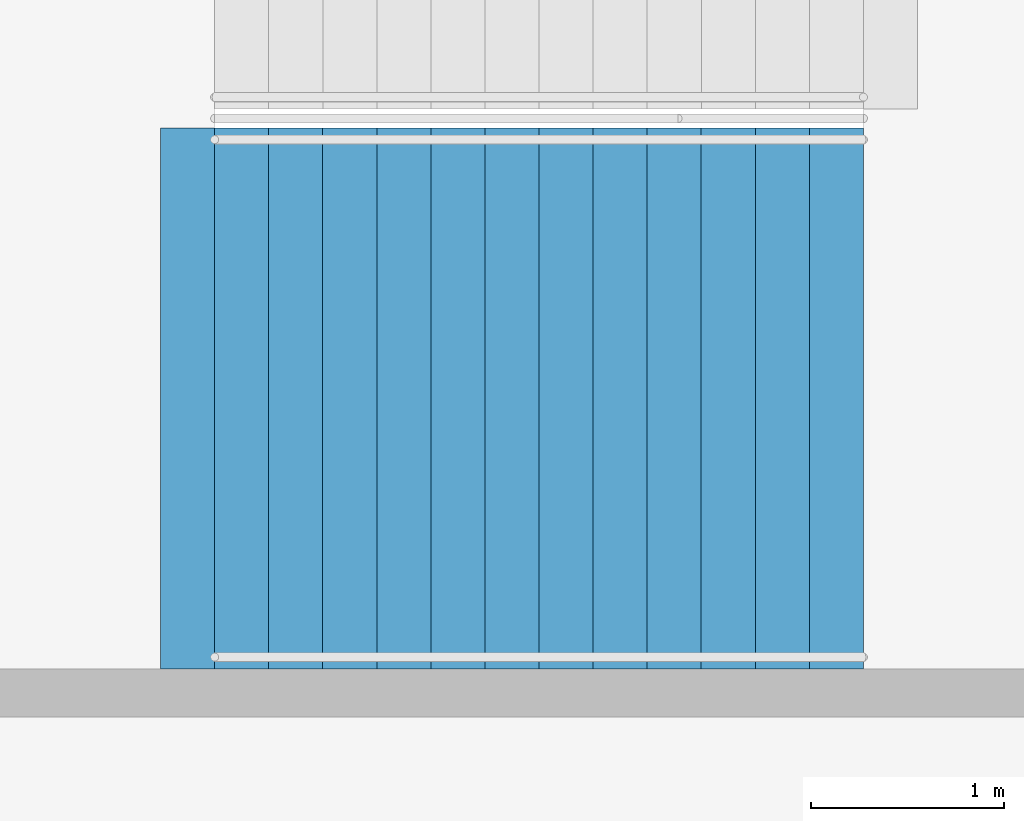
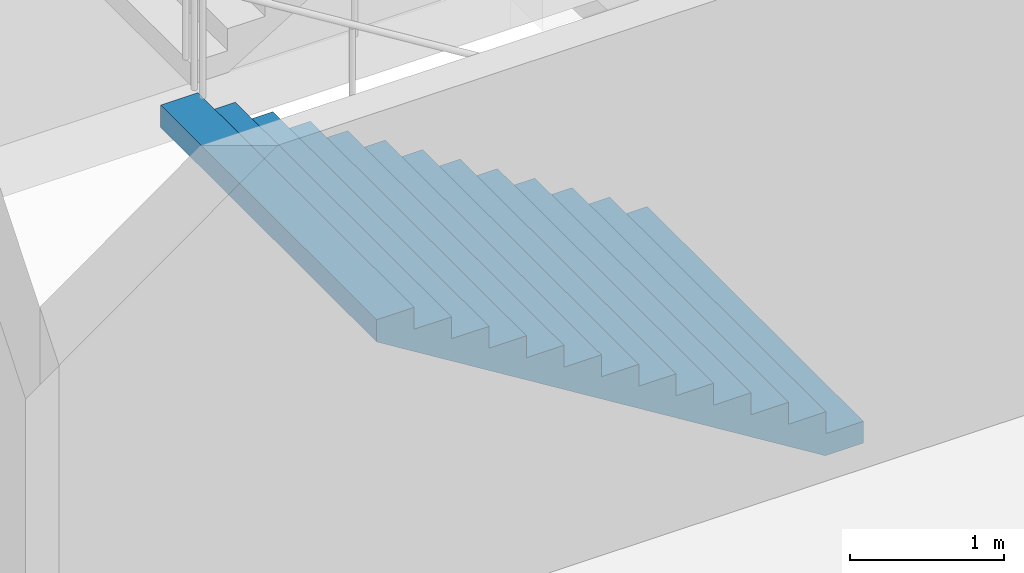
# One storey, part 165 of 249: 1 stair flight, 1 element without a shape of its own.
"""IFC4 building model written with IfcOpenShell, lengths in metres."""

from ifc_helpers import new_model, si_unit, direction, frame, origin, place, context, subcontext, project, spatial, faceted_brep, material, type_object, element, aggregate, save


model = new_model("IFC4")

# Units and contexts
model_context = context("Model", 3, precision=1e-05, world=origin(), true_north=direction((0.0, 1.0)))
body_context = subcontext(model_context, "Body", "Model", "MODEL_VIEW")
ifc_project = project(units=[si_unit("LENGTHUNIT", "METRE"), si_unit("AREAUNIT", "SQUARE_METRE"), si_unit("VOLUMEUNIT", "CUBIC_METRE"), si_unit("PLANEANGLEUNIT", "RADIAN"), si_unit("MASSUNIT", "GRAM", prefix="KILO")], contexts=[model_context])

# Site, building, storey
site_placement = place(None, origin())
site = spatial("IfcSite", under=ifc_project, at=site_placement, CompositionType="ELEMENT")
building_placement = place(site_placement, origin())
building = spatial("IfcBuilding", under=site, at=building_placement, Name="Ogive Plaza Stadium", CompositionType="ELEMENT")
storey_placement = place(building_placement, frame((0.0, 0.0, 13.5)))
storey = spatial("IfcBuildingStorey", under=building, at=storey_placement, Name="L03", CompositionType="ELEMENT", Elevation=13.5)

# Stair, stair flight
ifc_material_1 = material(Name="Concrete C40/50", Category="concrete")
stair_type = type_object("IfcStairType", Name="Exit stair", PredefinedType="STRAIGHT_RUN_STAIR", material=ifc_material_1)
stair_placement = place(storey_placement, origin())
stair = element("IfcStair", 1, at=stair_placement, inside=storey, type_object=stair_type, Name="Exit stair ST26B L03 to L04", PredefinedType="STRAIGHT_RUN_STAIR")
ifc_material_2 = material(Name="Concrete C40/50", Category="concrete")
stair_flight_type = type_object("IfcStairFlightType", Name="Exit stair flight", PredefinedType="STRAIGHT", material=ifc_material_2)
stair_flight_placement = place(storey_placement, frame((-76.35009765625, 18.074951171875, 0.0), z_axis=(0.0, 0.0, 1.0), x_axis=(-1.0, 0.0, 0.0)))
stair_flight = element("IfcStairFlight", 2, at=stair_flight_placement, type_object=stair_flight_type, Name="ST26B flight 1", NumberOfRisers=13, NumberOfTreads=12, PredefinedType="STRAIGHT", RiserHeight=0.173076923, TreadLength=0.28, context=body_context, shape_type="Brep", body=[
    faceted_brep([(0.28515625, -1.39990234375, 0.0), (3.639892578125, -1.39990234375, 2.07373046875), (3.639892578125, -1.39990234375, 2.25), (3.360107421875, -1.39990234375, 2.25), (3.360107421875, -1.39990234375, 2.076904296875), (3.080078125, -1.39990234375, 2.076904296875), (3.080078125, -1.39990234375, 1.90380859375), (2.800048828125, -1.39990234375, 1.90380859375), (2.800048828125, -1.39990234375, 1.730712890625), (2.52001953125, -1.39990234375, 1.730712890625), (2.52001953125, -1.39990234375, 1.5576171875), (2.239990234375, -1.39990234375, 1.5576171875), (2.239990234375, -1.39990234375, 1.384521484375), (1.9599609375, -1.39990234375, 1.384521484375), (1.9599609375, -1.39990234375, 1.21142578125), (1.679931640625, -1.39990234375, 1.21142578125), (1.679931640625, -1.39990234375, 1.03857421875), (1.39990234375, -1.39990234375, 1.03857421875), (1.39990234375, -1.39990234375, 0.865478515625), (1.1201171875, -1.39990234375, 0.865478515625), (1.1201171875, -1.39990234375, 0.6923828125), (0.840087890625, -1.39990234375, 0.6923828125), (0.840087890625, -1.39990234375, 0.519287109375), (0.56005859375, -1.39990234375, 0.519287109375), (0.56005859375, -1.39990234375, 0.34619140625), (0.280029296875, -1.39990234375, 0.34619140625), (0.280029296875, -1.39990234375, 0.173095703125), (0.0, -1.39990234375, 0.173095703125), (0.0, -1.39990234375, 0.0), (0.0, 1.39990234375, 0.0), (0.0, 1.39990234375, 0.173095703125), (0.280029296875, 1.39990234375, 0.173095703125), (0.280029296875, 1.39990234375, 0.34619140625), (0.56005859375, 1.39990234375, 0.34619140625), (0.56005859375, 1.39990234375, 0.519287109375), (0.840087890625, 1.39990234375, 0.519287109375), (0.840087890625, 1.39990234375, 0.6923828125), (1.1201171875, 1.39990234375, 0.6923828125), (1.1201171875, 1.39990234375, 0.865478515625), (1.39990234375, 1.39990234375, 0.865478515625), (1.39990234375, 1.39990234375, 1.03857421875), (1.679931640625, 1.39990234375, 1.03857421875), (1.679931640625, 1.39990234375, 1.21142578125), (1.9599609375, 1.39990234375, 1.21142578125), (1.9599609375, 1.39990234375, 1.384521484375), (2.239990234375, 1.39990234375, 1.384521484375), (2.239990234375, 1.39990234375, 1.5576171875), (2.52001953125, 1.39990234375, 1.5576171875), (2.52001953125, 1.39990234375, 1.730712890625), (2.800048828125, 1.39990234375, 1.730712890625), (2.800048828125, 1.39990234375, 1.90380859375), (3.080078125, 1.39990234375, 1.90380859375), (3.080078125, 1.39990234375, 2.076904296875), (3.360107421875, 1.39990234375, 2.076904296875), (3.360107421875, 1.39990234375, 2.25), (3.639892578125, 1.39990234375, 2.25), (3.639892578125, 1.39990234375, 2.07373046875), (0.28515625, 1.39990234375, 0.0), (0.28515625, -1.0888671875, 0.0), (3.639892578125, -1.0888671875, 2.07373046875), (0.28515625, -0.77783203125, 0.0), (3.639892578125, -0.77783203125, 2.07373046875), (0.28515625, -0.466796875, 0.0), (3.639892578125, -0.466796875, 2.07373046875), (0.28515625, -0.155517578125, 0.0), (3.639892578125, -0.155517578125, 2.07373046875), (0.28515625, 0.155517578125, 0.0), (3.639892578125, 0.155517578125, 2.07373046875), (0.28515625, 0.466796875, 0.0), (3.639892578125, 0.466796875, 2.07373046875), (0.28515625, 0.77783203125, 0.0), (3.639892578125, 0.77783203125, 2.07373046875), (0.28515625, 1.0888671875, 0.0), (3.639892578125, 1.0888671875, 2.07373046875), (3.639892578125, -1.0888671875, 2.25), (3.639892578125, -0.77783203125, 2.25), (3.639892578125, -0.466796875, 2.25), (3.639892578125, -0.155517578125, 2.25), (3.639892578125, 0.155517578125, 2.25), (3.639892578125, 0.466796875, 2.25), (3.639892578125, 0.77783203125, 2.25), (3.639892578125, 1.0888671875, 2.25), (3.360107421875, -1.0888671875, 2.25), (3.360107421875, -0.77783203125, 2.25), (3.360107421875, -0.466796875, 2.25), (3.360107421875, -0.155517578125, 2.25), (3.360107421875, 0.155517578125, 2.25), (3.360107421875, 0.466796875, 2.25), (3.360107421875, 0.77783203125, 2.25), (3.360107421875, 1.0888671875, 2.25), (3.360107421875, -1.0888671875, 2.076904296875), (3.360107421875, -0.77783203125, 2.076904296875), (3.360107421875, -0.466796875, 2.076904296875), (3.360107421875, -0.155517578125, 2.076904296875), (3.360107421875, 0.155517578125, 2.076904296875), (3.360107421875, 0.466796875, 2.076904296875), (3.360107421875, 0.77783203125, 2.076904296875), (3.360107421875, 1.0888671875, 2.076904296875), (3.080078125, -1.0888671875, 2.076904296875), (3.080078125, -0.77783203125, 2.076904296875), (3.080078125, -0.466796875, 2.076904296875), (3.080078125, -0.155517578125, 2.076904296875), (3.080078125, 0.155517578125, 2.076904296875), (3.080078125, 0.466796875, 2.076904296875), (3.080078125, 0.77783203125, 2.076904296875), (3.080078125, 1.0888671875, 2.076904296875), (3.080078125, -1.0888671875, 1.90380859375), (3.080078125, -0.77783203125, 1.90380859375), (3.080078125, -0.466796875, 1.90380859375), (3.080078125, -0.155517578125, 1.90380859375), (3.080078125, 0.155517578125, 1.90380859375), (3.080078125, 0.466796875, 1.90380859375), (3.080078125, 0.77783203125, 1.90380859375), (3.080078125, 1.0888671875, 1.90380859375), (2.800048828125, -1.0888671875, 1.90380859375), (2.800048828125, -0.77783203125, 1.90380859375), (2.800048828125, -0.466796875, 1.90380859375), (2.800048828125, -0.155517578125, 1.90380859375), (2.800048828125, 0.155517578125, 1.90380859375), (2.800048828125, 0.466796875, 1.90380859375), (2.800048828125, 0.77783203125, 1.90380859375), (2.800048828125, 1.0888671875, 1.90380859375), (2.800048828125, -1.0888671875, 1.730712890625), (2.800048828125, -0.77783203125, 1.730712890625), (2.800048828125, -0.466796875, 1.730712890625), (2.800048828125, -0.155517578125, 1.730712890625), (2.800048828125, 0.155517578125, 1.730712890625), (2.800048828125, 0.466796875, 1.730712890625), (2.800048828125, 0.77783203125, 1.730712890625), (2.800048828125, 1.0888671875, 1.730712890625), (2.52001953125, -1.0888671875, 1.730712890625), (2.52001953125, -0.77783203125, 1.730712890625), (2.52001953125, -0.466796875, 1.730712890625), (2.52001953125, -0.155517578125, 1.730712890625), (2.52001953125, 0.155517578125, 1.730712890625), (2.52001953125, 0.466796875, 1.730712890625), (2.52001953125, 0.77783203125, 1.730712890625), (2.52001953125, 1.0888671875, 1.730712890625), (2.52001953125, -1.0888671875, 1.5576171875), (2.52001953125, -0.77783203125, 1.5576171875), (2.52001953125, -0.466796875, 1.5576171875), (2.52001953125, -0.155517578125, 1.5576171875), (2.52001953125, 0.155517578125, 1.5576171875), (2.52001953125, 0.466796875, 1.5576171875), (2.52001953125, 0.77783203125, 1.5576171875), (2.52001953125, 1.0888671875, 1.5576171875), (2.239990234375, -1.0888671875, 1.5576171875), (2.239990234375, -0.77783203125, 1.5576171875), (2.239990234375, -0.466796875, 1.5576171875), (2.239990234375, -0.155517578125, 1.5576171875), (2.239990234375, 0.155517578125, 1.5576171875), (2.239990234375, 0.466796875, 1.5576171875), (2.239990234375, 0.77783203125, 1.5576171875), (2.239990234375, 1.0888671875, 1.5576171875), (2.239990234375, -1.0888671875, 1.384521484375), (2.239990234375, -0.77783203125, 1.384521484375), (2.239990234375, -0.466796875, 1.384521484375), (2.239990234375, -0.155517578125, 1.384521484375), (2.239990234375, 0.155517578125, 1.384521484375), (2.239990234375, 0.466796875, 1.384521484375), (2.239990234375, 0.77783203125, 1.384521484375), (2.239990234375, 1.0888671875, 1.384521484375), (1.9599609375, -1.0888671875, 1.384521484375), (1.9599609375, -0.77783203125, 1.384521484375), (1.9599609375, -0.466796875, 1.384521484375), (1.9599609375, -0.155517578125, 1.384521484375), (1.9599609375, 0.155517578125, 1.384521484375), (1.9599609375, 0.466796875, 1.384521484375), (1.9599609375, 0.77783203125, 1.384521484375), (1.9599609375, 1.0888671875, 1.384521484375), (1.9599609375, -1.0888671875, 1.21142578125), (1.9599609375, -0.77783203125, 1.21142578125), (1.9599609375, -0.466796875, 1.21142578125), (1.9599609375, -0.155517578125, 1.21142578125), (1.9599609375, 0.155517578125, 1.21142578125), (1.9599609375, 0.466796875, 1.21142578125), (1.9599609375, 0.77783203125, 1.21142578125), (1.9599609375, 1.0888671875, 1.21142578125), (1.679931640625, -1.0888671875, 1.21142578125), (1.679931640625, -0.77783203125, 1.21142578125), (1.679931640625, -0.466796875, 1.21142578125), (1.679931640625, -0.155517578125, 1.21142578125), (1.679931640625, 0.155517578125, 1.21142578125), (1.679931640625, 0.466796875, 1.21142578125), (1.679931640625, 0.77783203125, 1.21142578125), (1.679931640625, 1.0888671875, 1.21142578125), (1.679931640625, -1.0888671875, 1.03857421875), (1.679931640625, -0.77783203125, 1.03857421875), (1.679931640625, -0.466796875, 1.03857421875), (1.679931640625, -0.155517578125, 1.03857421875), (1.679931640625, 0.155517578125, 1.03857421875), (1.679931640625, 0.466796875, 1.03857421875), (1.679931640625, 0.77783203125, 1.03857421875), (1.679931640625, 1.0888671875, 1.03857421875), (1.39990234375, -1.0888671875, 1.03857421875), (1.39990234375, -0.77783203125, 1.03857421875), (1.39990234375, -0.466796875, 1.03857421875), (1.39990234375, -0.155517578125, 1.03857421875), (1.39990234375, 0.155517578125, 1.03857421875), (1.39990234375, 0.466796875, 1.03857421875), (1.39990234375, 0.77783203125, 1.03857421875), (1.39990234375, 1.0888671875, 1.03857421875), (1.39990234375, -1.0888671875, 0.865478515625), (1.39990234375, -0.77783203125, 0.865478515625), (1.39990234375, -0.466796875, 0.865478515625), (1.39990234375, -0.155517578125, 0.865478515625), (1.39990234375, 0.155517578125, 0.865478515625), (1.39990234375, 0.466796875, 0.865478515625), (1.39990234375, 0.77783203125, 0.865478515625), (1.39990234375, 1.0888671875, 0.865478515625), (1.1201171875, -1.0888671875, 0.865478515625), (1.1201171875, -0.77783203125, 0.865478515625), (1.1201171875, -0.466796875, 0.865478515625), (1.1201171875, -0.155517578125, 0.865478515625), (1.1201171875, 0.155517578125, 0.865478515625), (1.1201171875, 0.466796875, 0.865478515625), (1.1201171875, 0.77783203125, 0.865478515625), (1.1201171875, 1.0888671875, 0.865478515625), (1.1201171875, -1.0888671875, 0.6923828125), (1.1201171875, -0.77783203125, 0.6923828125), (1.1201171875, -0.466796875, 0.6923828125), (1.1201171875, -0.155517578125, 0.6923828125), (1.1201171875, 0.155517578125, 0.6923828125), (1.1201171875, 0.466796875, 0.6923828125), (1.1201171875, 0.77783203125, 0.6923828125), (1.1201171875, 1.0888671875, 0.6923828125), (0.840087890625, -1.0888671875, 0.6923828125), (0.840087890625, -0.77783203125, 0.6923828125), (0.840087890625, -0.466796875, 0.6923828125), (0.840087890625, -0.155517578125, 0.6923828125), (0.840087890625, 0.155517578125, 0.6923828125), (0.840087890625, 0.466796875, 0.6923828125), (0.840087890625, 0.77783203125, 0.6923828125), (0.840087890625, 1.0888671875, 0.6923828125), (0.840087890625, -1.0888671875, 0.519287109375), (0.840087890625, -0.77783203125, 0.519287109375), (0.840087890625, -0.466796875, 0.519287109375), (0.840087890625, -0.155517578125, 0.519287109375), (0.840087890625, 0.155517578125, 0.519287109375), (0.840087890625, 0.466796875, 0.519287109375), (0.840087890625, 0.77783203125, 0.519287109375), (0.840087890625, 1.0888671875, 0.519287109375), (0.56005859375, -1.0888671875, 0.519287109375), (0.56005859375, -0.77783203125, 0.519287109375), (0.56005859375, -0.466796875, 0.519287109375), (0.56005859375, -0.155517578125, 0.519287109375), (0.56005859375, 0.155517578125, 0.519287109375), (0.56005859375, 0.466796875, 0.519287109375), (0.56005859375, 0.77783203125, 0.519287109375), (0.56005859375, 1.0888671875, 0.519287109375), (0.56005859375, -1.0888671875, 0.34619140625), (0.56005859375, -0.77783203125, 0.34619140625), (0.56005859375, -0.466796875, 0.34619140625), (0.56005859375, -0.155517578125, 0.34619140625), (0.56005859375, 0.155517578125, 0.34619140625), (0.56005859375, 0.466796875, 0.34619140625), (0.56005859375, 0.77783203125, 0.34619140625), (0.56005859375, 1.0888671875, 0.34619140625), (0.280029296875, -1.0888671875, 0.34619140625), (0.280029296875, -0.77783203125, 0.34619140625), (0.280029296875, -0.466796875, 0.34619140625), (0.280029296875, -0.155517578125, 0.34619140625), (0.280029296875, 0.155517578125, 0.34619140625), (0.280029296875, 0.466796875, 0.34619140625), (0.280029296875, 0.77783203125, 0.34619140625), (0.280029296875, 1.0888671875, 0.34619140625), (0.280029296875, -1.0888671875, 0.173095703125), (0.280029296875, -0.77783203125, 0.173095703125), (0.280029296875, -0.466796875, 0.173095703125), (0.280029296875, -0.155517578125, 0.173095703125), (0.280029296875, 0.155517578125, 0.173095703125), (0.280029296875, 0.466796875, 0.173095703125), (0.280029296875, 0.77783203125, 0.173095703125), (0.280029296875, 1.0888671875, 0.173095703125), (0.0, -1.0888671875, 0.173095703125), (0.0, -0.77783203125, 0.173095703125), (0.0, -0.466796875, 0.173095703125), (0.0, -0.155517578125, 0.173095703125), (0.0, 0.155517578125, 0.173095703125), (0.0, 0.466796875, 0.173095703125), (0.0, 0.77783203125, 0.173095703125), (0.0, 1.0888671875, 0.173095703125), (0.0, -1.0888671875, 0.0), (0.0, -0.77783203125, 0.0), (0.0, -0.466796875, 0.0), (0.0, -0.155517578125, 0.0), (0.0, 0.155517578125, 0.0), (0.0, 0.466796875, 0.0), (0.0, 0.77783203125, 0.0), (0.0, 1.0888671875, 0.0)], [[[0, 1, 2, 3, 4, 5, 6, 7, 8, 9, 10, 11, 12, 13, 14, 15, 16, 17, 18, 19, 20, 21, 22, 23, 24, 25, 26, 27, 28]], [[29, 30, 31, 32, 33, 34, 35, 36, 37, 38, 39, 40, 41, 42, 43, 44, 45, 46, 47, 48, 49, 50, 51, 52, 53, 54, 55, 56, 57]], [[0, 58, 59, 1]], [[58, 60, 61, 59]], [[60, 62, 63, 61]], [[62, 64, 65, 63]], [[64, 66, 67, 65]], [[66, 68, 69, 67]], [[68, 70, 71, 69]], [[70, 72, 73, 71]], [[72, 57, 56, 73]], [[1, 59, 74, 2]], [[59, 61, 75, 74]], [[61, 63, 76, 75]], [[63, 65, 77, 76]], [[65, 67, 78, 77]], [[67, 69, 79, 78]], [[69, 71, 80, 79]], [[71, 73, 81, 80]], [[73, 56, 55, 81]], [[2, 74, 82, 3]], [[74, 75, 83, 82]], [[75, 76, 84, 83]], [[76, 77, 85, 84]], [[77, 78, 86, 85]], [[78, 79, 87, 86]], [[79, 80, 88, 87]], [[80, 81, 89, 88]], [[81, 55, 54, 89]], [[3, 82, 90, 4]], [[82, 83, 91, 90]], [[83, 84, 92, 91]], [[84, 85, 93, 92]], [[85, 86, 94, 93]], [[86, 87, 95, 94]], [[87, 88, 96, 95]], [[88, 89, 97, 96]], [[89, 54, 53, 97]], [[4, 90, 98, 5]], [[90, 91, 99, 98]], [[91, 92, 100, 99]], [[92, 93, 101, 100]], [[93, 94, 102, 101]], [[94, 95, 103, 102]], [[95, 96, 104, 103]], [[96, 97, 105, 104]], [[97, 53, 52, 105]], [[5, 98, 106, 6]], [[98, 99, 107, 106]], [[99, 100, 108, 107]], [[100, 101, 109, 108]], [[101, 102, 110, 109]], [[102, 103, 111, 110]], [[103, 104, 112, 111]], [[104, 105, 113, 112]], [[105, 52, 51, 113]], [[6, 106, 114, 7]], [[106, 107, 115, 114]], [[107, 108, 116, 115]], [[108, 109, 117, 116]], [[109, 110, 118, 117]], [[110, 111, 119, 118]], [[111, 112, 120, 119]], [[112, 113, 121, 120]], [[113, 51, 50, 121]], [[7, 114, 122, 8]], [[114, 115, 123, 122]], [[115, 116, 124, 123]], [[116, 117, 125, 124]], [[117, 118, 126, 125]], [[118, 119, 127, 126]], [[119, 120, 128, 127]], [[120, 121, 129, 128]], [[121, 50, 49, 129]], [[8, 122, 130, 9]], [[122, 123, 131, 130]], [[123, 124, 132, 131]], [[124, 125, 133, 132]], [[125, 126, 134, 133]], [[126, 127, 135, 134]], [[127, 128, 136, 135]], [[128, 129, 137, 136]], [[129, 49, 48, 137]], [[9, 130, 138, 10]], [[130, 131, 139, 138]], [[131, 132, 140, 139]], [[132, 133, 141, 140]], [[133, 134, 142, 141]], [[134, 135, 143, 142]], [[135, 136, 144, 143]], [[136, 137, 145, 144]], [[137, 48, 47, 145]], [[10, 138, 146, 11]], [[138, 139, 147, 146]], [[139, 140, 148, 147]], [[140, 141, 149, 148]], [[141, 142, 150, 149]], [[142, 143, 151, 150]], [[143, 144, 152, 151]], [[144, 145, 153, 152]], [[145, 47, 46, 153]], [[11, 146, 154, 12]], [[146, 147, 155, 154]], [[147, 148, 156, 155]], [[148, 149, 157, 156]], [[149, 150, 158, 157]], [[150, 151, 159, 158]], [[151, 152, 160, 159]], [[152, 153, 161, 160]], [[153, 46, 45, 161]], [[12, 154, 162, 13]], [[154, 155, 163, 162]], [[155, 156, 164, 163]], [[156, 157, 165, 164]], [[157, 158, 166, 165]], [[158, 159, 167, 166]], [[159, 160, 168, 167]], [[160, 161, 169, 168]], [[161, 45, 44, 169]], [[13, 162, 170, 14]], [[162, 163, 171, 170]], [[163, 164, 172, 171]], [[164, 165, 173, 172]], [[165, 166, 174, 173]], [[166, 167, 175, 174]], [[167, 168, 176, 175]], [[168, 169, 177, 176]], [[169, 44, 43, 177]], [[14, 170, 178, 15]], [[170, 171, 179, 178]], [[171, 172, 180, 179]], [[172, 173, 181, 180]], [[173, 174, 182, 181]], [[174, 175, 183, 182]], [[175, 176, 184, 183]], [[176, 177, 185, 184]], [[177, 43, 42, 185]], [[15, 178, 186, 16]], [[178, 179, 187, 186]], [[179, 180, 188, 187]], [[180, 181, 189, 188]], [[181, 182, 190, 189]], [[182, 183, 191, 190]], [[183, 184, 192, 191]], [[184, 185, 193, 192]], [[185, 42, 41, 193]], [[16, 186, 194, 17]], [[186, 187, 195, 194]], [[187, 188, 196, 195]], [[188, 189, 197, 196]], [[189, 190, 198, 197]], [[190, 191, 199, 198]], [[191, 192, 200, 199]], [[192, 193, 201, 200]], [[193, 41, 40, 201]], [[17, 194, 202, 18]], [[194, 195, 203, 202]], [[195, 196, 204, 203]], [[196, 197, 205, 204]], [[197, 198, 206, 205]], [[198, 199, 207, 206]], [[199, 200, 208, 207]], [[200, 201, 209, 208]], [[201, 40, 39, 209]], [[18, 202, 210, 19]], [[202, 203, 211, 210]], [[203, 204, 212, 211]], [[204, 205, 213, 212]], [[205, 206, 214, 213]], [[206, 207, 215, 214]], [[207, 208, 216, 215]], [[208, 209, 217, 216]], [[209, 39, 38, 217]], [[19, 210, 218, 20]], [[210, 211, 219, 218]], [[211, 212, 220, 219]], [[212, 213, 221, 220]], [[213, 214, 222, 221]], [[214, 215, 223, 222]], [[215, 216, 224, 223]], [[216, 217, 225, 224]], [[217, 38, 37, 225]], [[20, 218, 226, 21]], [[218, 219, 227, 226]], [[219, 220, 228, 227]], [[220, 221, 229, 228]], [[221, 222, 230, 229]], [[222, 223, 231, 230]], [[223, 224, 232, 231]], [[224, 225, 233, 232]], [[225, 37, 36, 233]], [[21, 226, 234, 22]], [[226, 227, 235, 234]], [[227, 228, 236, 235]], [[228, 229, 237, 236]], [[229, 230, 238, 237]], [[230, 231, 239, 238]], [[231, 232, 240, 239]], [[232, 233, 241, 240]], [[233, 36, 35, 241]], [[22, 234, 242, 23]], [[234, 235, 243, 242]], [[235, 236, 244, 243]], [[236, 237, 245, 244]], [[237, 238, 246, 245]], [[238, 239, 247, 246]], [[239, 240, 248, 247]], [[240, 241, 249, 248]], [[241, 35, 34, 249]], [[23, 242, 250, 24]], [[242, 243, 251, 250]], [[243, 244, 252, 251]], [[244, 245, 253, 252]], [[245, 246, 254, 253]], [[246, 247, 255, 254]], [[247, 248, 256, 255]], [[248, 249, 257, 256]], [[249, 34, 33, 257]], [[24, 250, 258, 25]], [[250, 251, 259, 258]], [[251, 252, 260, 259]], [[252, 253, 261, 260]], [[253, 254, 262, 261]], [[254, 255, 263, 262]], [[255, 256, 264, 263]], [[256, 257, 265, 264]], [[257, 33, 32, 265]], [[25, 258, 266, 26]], [[258, 259, 267, 266]], [[259, 260, 268, 267]], [[260, 261, 269, 268]], [[261, 262, 270, 269]], [[262, 263, 271, 270]], [[263, 264, 272, 271]], [[264, 265, 273, 272]], [[265, 32, 31, 273]], [[26, 266, 274, 27]], [[266, 267, 275, 274]], [[267, 268, 276, 275]], [[268, 269, 277, 276]], [[269, 270, 278, 277]], [[270, 271, 279, 278]], [[271, 272, 280, 279]], [[272, 273, 281, 280]], [[273, 31, 30, 281]], [[27, 274, 282, 28]], [[274, 275, 283, 282]], [[275, 276, 284, 283]], [[276, 277, 285, 284]], [[277, 278, 286, 285]], [[278, 279, 287, 286]], [[279, 280, 288, 287]], [[280, 281, 289, 288]], [[281, 30, 29, 289]], [[28, 282, 58, 0]], [[282, 283, 60, 58]], [[283, 284, 62, 60]], [[284, 285, 64, 62]], [[285, 286, 66, 64]], [[286, 287, 68, 66]], [[287, 288, 70, 68]], [[288, 289, 72, 70]], [[289, 29, 57, 72]]]),
])
aggregate(stair, [stair_flight])

save(model, "model.ifc")
